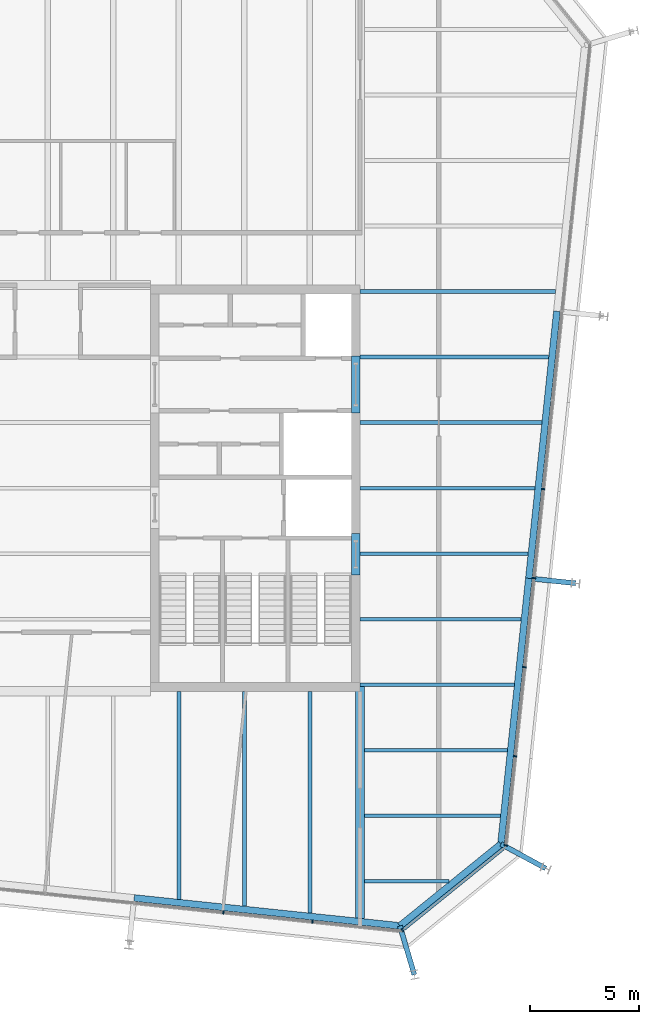
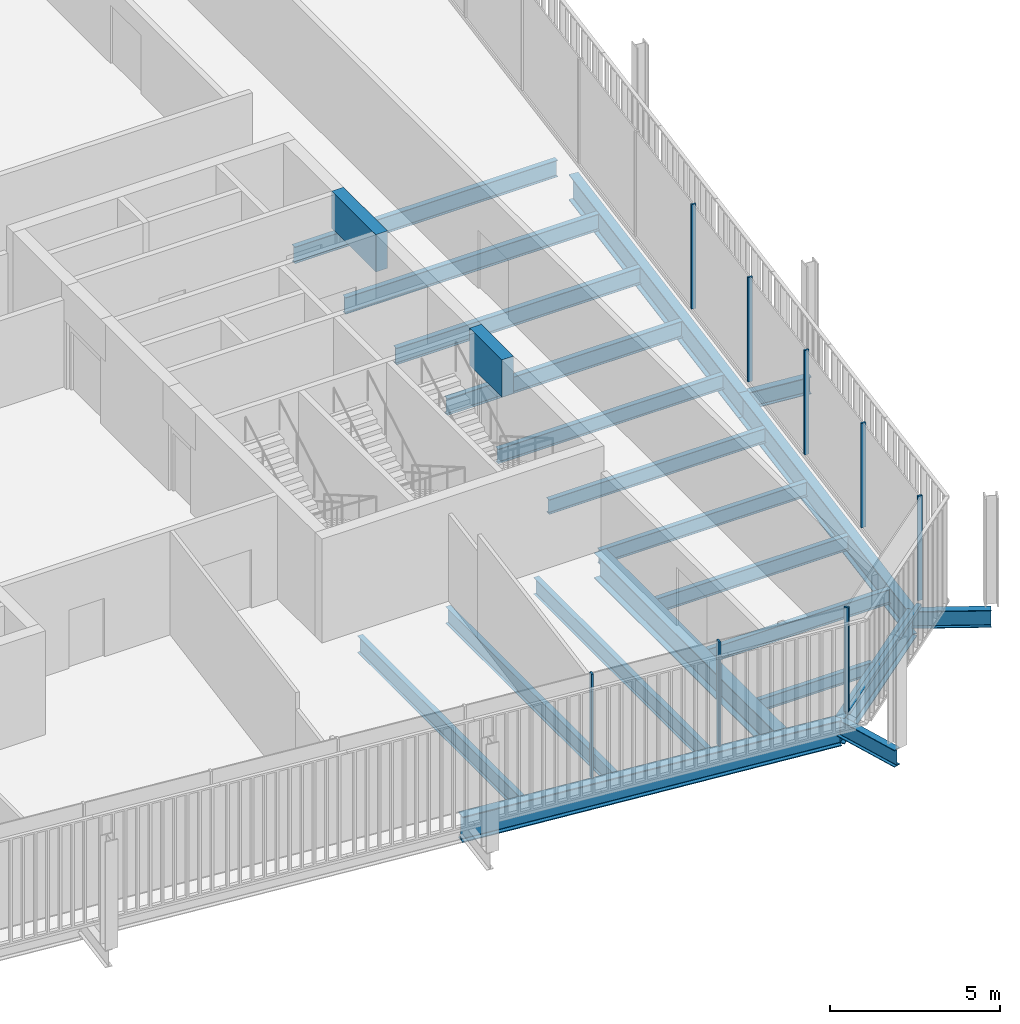
# One storey, part 9 of 20: 23 beams, 9 members, 3 elements without a shape of their own.
"""IFC4 building model written with IfcOpenShell, lengths in metres."""

from ifc_helpers import new_model, si_unit, direction, frame, origin, origin_2d, place, context, subcontext, project, spatial, rectangle, i_section, extrude, material, layer, layer_set, material_profile, profile_set, type_object, element, aggregate, save


model = new_model("IFC4")

# Units and contexts
model_context = context("Model", 3, precision=1e-05, world=origin(), true_north=direction((0.0, 1.0)))
body_context = subcontext(model_context, "Body", "Model", "MODEL_VIEW")
ifc_project = project(units=[si_unit("LENGTHUNIT", "METRE"), si_unit("AREAUNIT", "SQUARE_METRE"), si_unit("VOLUMEUNIT", "CUBIC_METRE"), si_unit("PLANEANGLEUNIT", "RADIAN"), si_unit("MASSUNIT", "GRAM", prefix="KILO")], contexts=[model_context])

# Site, building, storey
site_placement = place(None, origin())
site = spatial("IfcSite", under=ifc_project, at=site_placement, CompositionType="ELEMENT")
building_placement = place(site_placement, origin())
building = spatial("IfcBuilding", under=site, at=building_placement, Name="Millrace Tower", CompositionType="ELEMENT")
storey_placement = place(building_placement, frame((0.0, 0.0, 322.60009765625)))
storey = spatial("IfcBuildingStorey", under=building, at=storey_placement, Name="L74", CompositionType="ELEMENT", Elevation=322.60009765625)

# Curtain wall, members
ifc_material_1 = material(Name="Aluminium and glass", Category="aluminium")
ifc_layer = layer(ifc_material_1, 0.14990234375)
ifc_layer_set = layer_set([ifc_layer], Name="Aluminium and glass")
curtain_wall_type = type_object("IfcCurtainWallType", Name="CW-1 office vision curtain wall", PredefinedType="NOTDEFINED", material=ifc_layer_set)
placement = place(storey_placement, origin())
curtain_wall_1 = element("IfcCurtainWall", 1, at=placement, inside=storey, type_object=curtain_wall_type, Name="Curtain wall E-F02 L74", PredefinedType="NOTDEFINED")
ifc_material_2 = material(Name="Aluminium", Category="aluminium")
ifc_material_profile_1 = material_profile(ifc_material_2, rectangle(XDim=0.06494140625, YDim=0.14990234375, at=origin_2d()))
ifc_profile_set_1 = profile_set([ifc_material_profile_1], Name="Aluminium")
member_type_1 = type_object("IfcMemberType", Name="CW-1 office vision curtain wall mullion", PredefinedType="MULLION", material=ifc_profile_set_1)
member_1_placement = place(storey_placement, frame((8.040283203125, -19.4248046875, 0.139892578125), z_axis=(0.0, 0.0, 1.0), x_axis=(0.994521896217, -0.104528455196, 0.0)))
member_1 = element("IfcMember", 2, at=member_1_placement, type_object=member_type_1, Name="CW1 mullion E-F02.8", PredefinedType="MULLION", context=body_context, shape_type="SweptSolid", body=[
    extrude(rectangle(XDim=0.06494140625, YDim=0.14990234375, at=origin_2d()), origin(), (0.0, 0.0, 1.0), 3.760009765625),
])
member_2_placement = place(storey_placement, frame((12.117919921875, -19.853271484375, 0.139892578125), z_axis=(0.0, 0.0, 1.0), x_axis=(0.994521896217, -0.104528455196, 0.0)))
member_2 = element("IfcMember", 3, at=member_2_placement, type_object=member_type_1, Name="CW1 mullion E-F02.9", PredefinedType="MULLION", context=body_context, shape_type="SweptSolid", body=[
    extrude(rectangle(XDim=0.06494140625, YDim=0.14990234375, at=origin_2d()), origin(), (0.0, 0.0, 1.0), 3.760009765625),
])
aggregate(curtain_wall_1, [member_1, member_2])

# Curtain wall, member
curtain_wall_2 = element("IfcCurtainWall", 4, at=placement, inside=storey, type_object=curtain_wall_type, Name="Curtain wall E-F03 L74", PredefinedType="NOTDEFINED")
member_3_placement = place(storey_placement, frame((16.243408203125, -20.24169921875, 0.139892578125), z_axis=(0.0, 0.0, 1.0), x_axis=(0.777146052237, 0.629320278945, 0.0)))
member_3 = element("IfcMember", 5, at=member_3_placement, type_object=member_type_1, Name="CW1 mullion E-F03.1", PredefinedType="MULLION", context=body_context, shape_type="SweptSolid", body=[
    extrude(rectangle(XDim=0.06494140625, YDim=0.14990234375, at=origin_2d()), origin(), (0.0, 0.0, 1.0), 3.760009765625),
])

# Curtain wall, members
curtain_wall_3 = element("IfcCurtainWall", 6, at=placement, inside=storey, type_object=curtain_wall_type, Name="Curtain wall E-F04 L74", PredefinedType="NOTDEFINED")
member_4_placement = place(storey_placement, frame((20.974853515625, -16.3525390625, 0.139892578125), z_axis=(0.0, 0.0, 1.0), x_axis=(0.104528455196, 0.994521896217, 0.0)))
member_4 = element("IfcMember", 7, at=member_4_placement, type_object=member_type_1, Name="CW1 mullion E-F04.1", PredefinedType="MULLION", context=body_context, shape_type="SweptSolid", body=[
    extrude(rectangle(XDim=0.06494140625, YDim=0.14990234375, at=origin_2d()), origin(), (0.0, 0.0, 1.0), 3.760009765625),
])
member_5_placement = place(storey_placement, frame((21.4033203125, -12.27490234375, 0.139892578125), z_axis=(0.0, 0.0, 1.0), x_axis=(0.104528455196, 0.994521896217, 0.0)))
member_5 = element("IfcMember", 8, at=member_5_placement, type_object=member_type_1, Name="CW1 mullion E-F04.2", PredefinedType="MULLION", context=body_context, shape_type="SweptSolid", body=[
    extrude(rectangle(XDim=0.06494140625, YDim=0.14990234375, at=origin_2d()), origin(), (0.0, 0.0, 1.0), 3.760009765625),
])
member_6_placement = place(storey_placement, frame((21.83203125, -8.197509765625, 0.139892578125), z_axis=(0.0, 0.0, 1.0), x_axis=(0.104528455196, 0.994521896217, 0.0)))
member_6 = element("IfcMember", 9, at=member_6_placement, type_object=member_type_1, Name="CW1 mullion E-F04.3", PredefinedType="MULLION", context=body_context, shape_type="SweptSolid", body=[
    extrude(rectangle(XDim=0.06494140625, YDim=0.14990234375, at=origin_2d()), origin(), (0.0, 0.0, 1.0), 3.760009765625),
])
member_7_placement = place(storey_placement, frame((22.260498046875, -4.119873046875, 0.139892578125), z_axis=(0.0, 0.0, 1.0), x_axis=(0.104528455196, 0.994521896217, 0.0)))
member_7 = element("IfcMember", 10, at=member_7_placement, type_object=member_type_1, Name="CW1 mullion E-F04.4", PredefinedType="MULLION", context=body_context, shape_type="SweptSolid", body=[
    extrude(rectangle(XDim=0.06494140625, YDim=0.14990234375, at=origin_2d()), origin(), (0.0, 0.0, 1.0), 3.760009765625),
])
member_8_placement = place(storey_placement, frame((22.68896484375, -0.042236328125, 0.139892578125), z_axis=(0.0, 0.0, 1.0), x_axis=(0.104528455196, 0.994521896217, 0.0)))
member_8 = element("IfcMember", 11, at=member_8_placement, type_object=member_type_1, Name="CW1 mullion E-F04.5", PredefinedType="MULLION", context=body_context, shape_type="SweptSolid", body=[
    extrude(rectangle(XDim=0.06494140625, YDim=0.14990234375, at=origin_2d()), origin(), (0.0, 0.0, 1.0), 3.760009765625),
])
aggregate(curtain_wall_3, [member_4, member_5, member_6, member_7, member_8])

# Member
ifc_material_3 = material(Name="Aluminium", Category="aluminium")
ifc_material_profile_2 = material_profile(ifc_material_3, rectangle(XDim=0.14990234375, YDim=0.139892578125, at=origin_2d()))
ifc_profile_set_2 = profile_set([ifc_material_profile_2], Name="Aluminium")
member_type_2 = type_object("IfcMemberType", Name="CW-1 office vision curtain wall transom", PredefinedType="USERDEFINED", material=ifc_profile_set_2)
member_9_placement = place(storey_placement, frame((16.2958984375, -20.19921875, 0.06982421875), z_axis=(0.77714915117, 0.629316452061, 0.0), x_axis=(-0.629316452061, 0.77714915117, 0.0)))
member_9 = element("IfcMember", 12, at=member_9_placement, type_object=member_type_2, Name="CW1 transom E-F03.1", ObjectType="TRANSOM", PredefinedType="USERDEFINED", context=body_context, shape_type="SweptSolid", body=[
    extrude(rectangle(XDim=0.14990234375, YDim=0.139892578125, at=origin_2d()), origin(), (0.0, 0.0, 1.0), 5.880859375),
])

aggregate(curtain_wall_2, [member_3, member_9])

# Beams
ifc_material_4 = material(Name="Concrete C60", Category="concrete")
ifc_material_profile_3 = material_profile(ifc_material_4, rectangle(XDim=0.39990234375, YDim=1.340087890625, at=origin_2d()))
ifc_profile_set_3 = profile_set([ifc_material_profile_3], Name="Concrete C60")
beam_type_1 = type_object("IfcBeamType", Name="Coupling beam 400 x 1340 Concrete C60, 1300 opening", PredefinedType="BEAM", material=ifc_profile_set_3)
beam_1_placement = place(storey_placement, frame((14.10009765625, -2.080078125, 3.06982421875), z_axis=(0.0, -1.0, 0.0), x_axis=(1.0, 0.0, 0.0)))
element("IfcBeam", 13, at=beam_1_placement, inside=storey, type_object=beam_type_1, Name="Coupling beam E L74", PredefinedType="BEAM", context=body_context, shape_type="SweptSolid", body=[
    extrude(rectangle(XDim=0.39990234375, YDim=1.340087890625, at=origin_2d()), origin(), (0.0, 0.0, 1.0), 1.89990234375),
])
ifc_material_5 = material(Name="Concrete C60", Category="concrete")
ifc_material_profile_4 = material_profile(ifc_material_5, rectangle(XDim=0.39990234375, YDim=1.340087890625, at=origin_2d()))
ifc_profile_set_4 = profile_set([ifc_material_profile_4], Name="Concrete C60")
beam_type_2 = type_object("IfcBeamType", Name="Coupling beam 400 x 1340 Concrete C60, 2000 opening", PredefinedType="BEAM", material=ifc_profile_set_4)
beam_2_placement = place(storey_placement, frame((14.10009765625, 6.050048828125, 3.06982421875), z_axis=(0.0, -1.0, 0.0), x_axis=(1.0, 0.0, 0.0)))
element("IfcBeam", 14, at=beam_2_placement, inside=storey, type_object=beam_type_2, Name="Coupling beam E L74", PredefinedType="BEAM", context=body_context, shape_type="SweptSolid", body=[
    extrude(rectangle(XDim=0.39990234375, YDim=1.340087890625, at=origin_2d()), origin(), (0.0, 0.0, 1.0), 2.60009765625),
])
ifc_material_6 = material(Name="Steel ASTM A992 Grade 50", Category="steel")
ifc_material_profile_5 = material_profile(ifc_material_6, i_section(OverallWidth=0.15234375, OverallDepth=0.449462890625, WebThickness=0.007568359375, FlangeThickness=0.0107421875, FilletRadius=0.01025390625, at=origin_2d()))
ifc_profile_set_5 = profile_set([ifc_material_profile_5], Name="Steel ASTM A992 Grade 50")
beam_type_3 = type_object("IfcBeamType", Name="Floor beam W18x35", PredefinedType="JOIST", material=ifc_profile_set_5)
beam_3_placement = place(storey_placement, frame((14.509521484375, -18.0, -0.384765625), z_axis=(1.0, 0.0, 0.0), x_axis=(0.0, 1.0, 0.0)))
element("IfcBeam", 15, at=beam_3_placement, inside=storey, type_object=beam_type_3, Name="BM-E-L74-S1-S001", PredefinedType="JOIST", context=body_context, shape_type="SweptSolid", body=[
    extrude(i_section(OverallWidth=0.15234375, OverallDepth=0.449462890625, WebThickness=0.007568359375, FlangeThickness=0.0107421875, FilletRadius=0.01025390625, at=origin_2d()), origin(), (0.0, 0.0, 1.0), 3.87060546875),
])
ifc_material_7 = material(Name="Steel ASTM A992 Grade 50", Category="steel")
ifc_material_profile_6 = material_profile(ifc_material_7, i_section(OverallWidth=0.1650390625, OverallDepth=0.52587890625, WebThickness=0.0087890625, FlangeThickness=0.011474609375, FilletRadius=0.0126953125, at=origin_2d()))
ifc_profile_set_6 = profile_set([ifc_material_profile_6], Name="Steel ASTM A992 Grade 50")
beam_type_4 = type_object("IfcBeamType", Name="Floor beam W21x44", PredefinedType="JOIST", material=ifc_profile_set_6)
beam_4_placement = place(storey_placement, frame((14.509521484375, -15.0, -0.423095703125), z_axis=(1.0, 0.0, 0.0), x_axis=(0.0, 1.0, 0.0)))
element("IfcBeam", 16, at=beam_4_placement, inside=storey, type_object=beam_type_4, Name="BM-E-L74-S1-S003", PredefinedType="JOIST", context=body_context, shape_type="SweptSolid", body=[
    extrude(i_section(OverallWidth=0.1650390625, OverallDepth=0.52587890625, WebThickness=0.0087890625, FlangeThickness=0.011474609375, FilletRadius=0.0126953125, at=origin_2d()), origin(), (0.0, 0.0, 1.0), 6.222900390625),
])
beam_5_placement = place(storey_placement, frame((14.509521484375, -12.0, -0.423095703125), z_axis=(1.0, 0.0, 0.0), x_axis=(0.0, 1.0, 0.0)))
element("IfcBeam", 17, at=beam_5_placement, inside=storey, type_object=beam_type_4, Name="BM-E-L74-S1-S005", PredefinedType="JOIST", context=body_context, shape_type="SweptSolid", body=[
    extrude(i_section(OverallWidth=0.1650390625, OverallDepth=0.52587890625, WebThickness=0.0087890625, FlangeThickness=0.011474609375, FilletRadius=0.0126953125, at=origin_2d()), origin(), (0.0, 0.0, 1.0), 6.538330078125),
])
beam_6_placement = place(storey_placement, frame((14.300048828125, -9.0, -0.423095703125), z_axis=(1.0, 0.0, 0.0), x_axis=(0.0, 1.0, 0.0)))
element("IfcBeam", 18, at=beam_6_placement, inside=storey, type_object=beam_type_4, Name="BM-E-L74-S1-S007", PredefinedType="JOIST", context=body_context, shape_type="SweptSolid", body=[
    extrude(i_section(OverallWidth=0.1650390625, OverallDepth=0.52587890625, WebThickness=0.0087890625, FlangeThickness=0.011474609375, FilletRadius=0.0126953125, at=origin_2d()), origin(), (0.0, 0.0, 1.0), 7.06298828125),
])
beam_7_placement = place(storey_placement, frame((14.300048828125, -6.0, -0.423095703125), z_axis=(1.0, 0.0, 0.0), x_axis=(0.0, 1.0, 0.0)))
element("IfcBeam", 19, at=beam_7_placement, inside=storey, type_object=beam_type_4, Name="BM-E-L74-S1-S010", PredefinedType="JOIST", context=body_context, shape_type="SweptSolid", body=[
    extrude(i_section(OverallWidth=0.1650390625, OverallDepth=0.52587890625, WebThickness=0.0087890625, FlangeThickness=0.011474609375, FilletRadius=0.0126953125, at=origin_2d()), origin(), (0.0, 0.0, 1.0), 7.37841796875),
])
beam_8_placement = place(storey_placement, frame((14.300048828125, -3.0, -0.423095703125), z_axis=(1.0, 0.0, 0.0), x_axis=(0.0, 1.0, 0.0)))
element("IfcBeam", 20, at=beam_8_placement, inside=storey, type_object=beam_type_4, Name="BM-E-L74-S1-S013", PredefinedType="JOIST", context=body_context, shape_type="SweptSolid", body=[
    extrude(i_section(OverallWidth=0.1650390625, OverallDepth=0.52587890625, WebThickness=0.0087890625, FlangeThickness=0.011474609375, FilletRadius=0.0126953125, at=origin_2d()), origin(), (0.0, 0.0, 1.0), 7.693603515625),
])
ifc_material_8 = material(Name="Steel ASTM A992 Grade 50", Category="steel")
ifc_material_profile_7 = material_profile(ifc_material_8, i_section(OverallWidth=0.177978515625, OverallDepth=0.599365234375, WebThickness=0.010009765625, FlangeThickness=0.012939453125, FilletRadius=0.012939453125, at=origin_2d()))
ifc_profile_set_7 = profile_set([ifc_material_profile_7], Name="Steel ASTM A992 Grade 50")
beam_type_5 = type_object("IfcBeamType", Name="Floor beam W24x55", PredefinedType="JOIST", material=ifc_profile_set_7)
beam_9_placement = place(storey_placement, frame((14.300048828125, 0.0, -0.459716796875), z_axis=(1.0, 0.0, 0.0), x_axis=(0.0, 1.0, 0.0)))
element("IfcBeam", 21, at=beam_9_placement, inside=storey, type_object=beam_type_5, Name="BM-E-L74-S1-S016", PredefinedType="JOIST", context=body_context, shape_type="SweptSolid", body=[
    extrude(i_section(OverallWidth=0.177978515625, OverallDepth=0.599365234375, WebThickness=0.010009765625, FlangeThickness=0.012939453125, FilletRadius=0.012939453125, at=origin_2d()), origin(), (0.0, 0.0, 1.0), 8.009033203125),
])
beam_10_placement = place(storey_placement, frame((14.300048828125, 3.0, -0.459716796875), z_axis=(1.0, 0.0, 0.0), x_axis=(0.0, 1.0, 0.0)))
element("IfcBeam", 22, at=beam_10_placement, inside=storey, type_object=beam_type_5, Name="BM-E-L74-S1-S019", PredefinedType="JOIST", context=body_context, shape_type="SweptSolid", body=[
    extrude(i_section(OverallWidth=0.177978515625, OverallDepth=0.599365234375, WebThickness=0.010009765625, FlangeThickness=0.012939453125, FilletRadius=0.012939453125, at=origin_2d()), origin(), (0.0, 0.0, 1.0), 8.324462890625),
])
beam_11_placement = place(storey_placement, frame((14.300048828125, 6.0, -0.459716796875), z_axis=(1.0, 0.0, 0.0), x_axis=(0.0, 1.0, 0.0)))
element("IfcBeam", 23, at=beam_11_placement, inside=storey, type_object=beam_type_5, Name="BM-E-L74-S1-S022", PredefinedType="JOIST", context=body_context, shape_type="SweptSolid", body=[
    extrude(i_section(OverallWidth=0.177978515625, OverallDepth=0.599365234375, WebThickness=0.010009765625, FlangeThickness=0.012939453125, FilletRadius=0.012939453125, at=origin_2d()), origin(), (0.0, 0.0, 1.0), 8.6396484375),
])
beam_12_placement = place(storey_placement, frame((14.300048828125, 9.0, -0.459716796875), z_axis=(1.0, 0.0, 0.0), x_axis=(0.0, 1.0, 0.0)))
element("IfcBeam", 24, at=beam_12_placement, inside=storey, type_object=beam_type_5, Name="BM-E-L74-S1-S024", PredefinedType="JOIST", context=body_context, shape_type="SweptSolid", body=[
    extrude(i_section(OverallWidth=0.177978515625, OverallDepth=0.599365234375, WebThickness=0.010009765625, FlangeThickness=0.012939453125, FilletRadius=0.012939453125, at=origin_2d()), origin(), (0.0, 0.0, 1.0), 8.955078125),
])
beam_13_placement = place(storey_placement, frame((6.0, -18.825927734375, -0.459716796875), z_axis=(0.0, 1.0, 0.0), x_axis=(-1.0, 0.0, 0.0)))
element("IfcBeam", 25, at=beam_13_placement, inside=storey, type_object=beam_type_5, Name="BM-E-L74-S1-S049", PredefinedType="JOIST", context=body_context, shape_type="SweptSolid", body=[
    extrude(i_section(OverallWidth=0.177978515625, OverallDepth=0.599365234375, WebThickness=0.010009765625, FlangeThickness=0.012939453125, FilletRadius=0.012939453125, at=origin_2d()), origin(), (0.0, 0.0, 1.0), 9.52587890625),
])
beam_14_placement = place(storey_placement, frame((9.0, -19.14111328125, -0.459716796875), z_axis=(0.0, 1.0, 0.0), x_axis=(-1.0, 0.0, 0.0)))
element("IfcBeam", 26, at=beam_14_placement, inside=storey, type_object=beam_type_5, Name="BM-E-L74-S1-S051", PredefinedType="JOIST", context=body_context, shape_type="SweptSolid", body=[
    extrude(i_section(OverallWidth=0.177978515625, OverallDepth=0.599365234375, WebThickness=0.010009765625, FlangeThickness=0.012939453125, FilletRadius=0.012939453125, at=origin_2d()), origin(), (0.0, 0.0, 1.0), 9.841064453125),
])
ifc_material_9 = material(Name="Steel ASTM A992 Grade 50", Category="steel")
ifc_material_profile_8 = material_profile(ifc_material_9, i_section(OverallWidth=0.1787109375, OverallDepth=0.60205078125, WebThickness=0.010986328125, FlangeThickness=0.014892578125, FilletRadius=0.0126953125, at=origin_2d()))
ifc_profile_set_8 = profile_set([ifc_material_profile_8], Name="Steel ASTM A992 Grade 50")
beam_type_6 = type_object("IfcBeamType", Name="Floor beam W24x62", PredefinedType="JOIST", material=ifc_profile_set_8)
beam_15_placement = place(storey_placement, frame((12.0, -19.45654296875, -0.461181640625), z_axis=(0.0, 1.0, 0.0), x_axis=(-1.0, 0.0, 0.0)))
element("IfcBeam", 27, at=beam_15_placement, inside=storey, type_object=beam_type_6, Name="BM-E-L74-S1-S053", PredefinedType="JOIST", context=body_context, shape_type="SweptSolid", body=[
    extrude(i_section(OverallWidth=0.1787109375, OverallDepth=0.60205078125, WebThickness=0.010986328125, FlangeThickness=0.014892578125, FilletRadius=0.0126953125, at=origin_2d()), origin(), (0.0, 0.0, 1.0), 10.156494140625),
])
ifc_material_10 = material(Name="Steel ASTM A992 Grade 50", Category="steel")
ifc_material_profile_9 = material_profile(ifc_material_10, i_section(OverallWidth=0.419189453125, OverallDepth=0.927001953125, WebThickness=0.019287109375, FlangeThickness=0.031982421875, FilletRadius=0.024169921875, at=origin_2d()))
ifc_profile_set_9 = profile_set([ifc_material_profile_9], Name="Steel ASTM A992 Grade 50")
beam_type_7 = type_object("IfcBeamType", Name="Girder short span W36x231", PredefinedType="BEAM", material=ifc_profile_set_9)
beam_16_placement = place(storey_placement, frame((14.300048828125, -19.6982421875, -0.62353515625), z_axis=(0.0, 1.0, 0.0), x_axis=(-1.0, 0.0, 0.0)))
element("IfcBeam", 28, at=beam_16_placement, inside=storey, type_object=beam_type_7, Name="BM-E-L74-S1-G057", PredefinedType="BEAM", context=body_context, shape_type="SweptSolid", body=[
    extrude(i_section(OverallWidth=0.419189453125, OverallDepth=0.927001953125, WebThickness=0.019287109375, FlangeThickness=0.031982421875, FilletRadius=0.024169921875, at=origin_2d()), origin(), (0.0, 0.0, 1.0), 10.6142578125),
])
ifc_material_11 = material(Name="Steel ASTM A992 Grade 50", Category="steel")
ifc_material_profile_10 = material_profile(ifc_material_11, i_section(OverallWidth=0.23046875, OverallDepth=0.6171875, WebThickness=0.01318359375, FlangeThickness=0.022216796875, FilletRadius=0.012939453125, at=origin_2d()))
ifc_profile_set_10 = profile_set([ifc_material_profile_10], Name="Steel ASTM A992 Grade 50")
beam_type_8 = type_object("IfcBeamType", Name="Link beam W24x94", PredefinedType="BEAM", material=ifc_profile_set_10)
beam_17_placement = place(storey_placement, frame((22.1826171875, -4.144287109375, -0.46875), z_axis=(0.99452550138, -0.104494148666, 0.0), x_axis=(0.104494148666, 0.99452550138, 0.0)))
element("IfcBeam", 29, at=beam_17_placement, inside=storey, type_object=beam_type_8, Name="LNK-E-L74-S1-11", PredefinedType="BEAM", context=body_context, shape_type="SweptSolid", body=[
    extrude(i_section(OverallWidth=0.23046875, OverallDepth=0.6171875, WebThickness=0.01318359375, FlangeThickness=0.022216796875, FilletRadius=0.012939453125, at=origin_2d()), origin(), (0.0, 0.0, 1.0), 2.0),
])
for number, where, z_axis, x_axis, name in (
    (30, (20.750732421875, -16.297607421875, -0.46875), (0.87881453358, -0.477163510307, 0.0), (0.477163510307, 0.87881453358, 0.0), "LNK-E-L74-S1-12"),
    (31, (16.123779296875, -20.04443359375, -0.46875), (0.283934988541, -0.958843533785, 0.0), (0.958843533785, 0.283934988541, 0.0), "LNK-E-L74-S1-13"),
):
    element("IfcBeam", number, at=place(storey_placement, frame(where, z_axis=z_axis, x_axis=x_axis)), inside=storey, type_object=beam_type_8, Name=name, PredefinedType="BEAM", context=body_context, shape_type="SweptSolid", body=[
        extrude(i_section(OverallWidth=0.23046875, OverallDepth=0.6171875, WebThickness=0.01318359375, FlangeThickness=0.022216796875, FilletRadius=0.012939453125, at=origin_2d()), origin(), (0.0, 0.0, 1.0), 2.3310546875),
    ])
ifc_material_12 = material(Name="Steel ASTM A992 Grade 50", Category="steel")
ifc_material_profile_11 = material_profile(ifc_material_12, i_section(OverallWidth=0.307373046875, OverallDepth=0.927001953125, WebThickness=0.01953125, FlangeThickness=0.031982421875, FilletRadius=0.01904296875, at=origin_2d()))
ifc_profile_set_11 = profile_set([ifc_material_profile_11], Name="Steel ASTM A992 Grade 50")
beam_type_9 = type_object("IfcBeamType", Name="Ring beam medium span W36x194", PredefinedType="SPANDREL", material=ifc_profile_set_11)
beam_18_placement = place(storey_placement, frame((23.3154296875, 8.104248046875, -0.62353515625), z_axis=(-0.10452566363, -0.994522189618, 0.0), x_axis=(0.994522189618, -0.10452566363, 0.0)))
element("IfcBeam", 32, at=beam_18_placement, inside=storey, type_object=beam_type_9, Name="RNG-E-L74-S1-10", PredefinedType="SPANDREL", context=body_context, shape_type="SweptSolid", body=[
    extrude(i_section(OverallWidth=0.307373046875, OverallDepth=0.927001953125, WebThickness=0.01953125, FlangeThickness=0.031982421875, FilletRadius=0.01904296875, at=origin_2d()), origin(), (0.0, 0.0, 1.0), 12.2998046875),
])
for number, where, z_axis, x_axis, name in (
    (33, (22.02978515625, -4.128173828125, -0.62353515625), (-0.104527955888, -0.994521948696, 0.0), (0.994521948696, -0.104527955888, 0.0), "RNG-E-L74-S1-11"),
    (34, (16.123779296875, -20.04443359375, -0.62353515625), (-0.994521948696, 0.104527955888, 0.0), (-0.104527955888, -0.994521948696, 0.0), "RNG-E-L74-S1-13"),
):
    element("IfcBeam", number, at=place(storey_placement, frame(where, z_axis=z_axis, x_axis=x_axis)), inside=storey, type_object=beam_type_9, Name=name, PredefinedType="SPANDREL", context=body_context, shape_type="SweptSolid", body=[
        extrude(i_section(OverallWidth=0.307373046875, OverallDepth=0.927001953125, WebThickness=0.01953125, FlangeThickness=0.031982421875, FilletRadius=0.01904296875, at=origin_2d()), origin(), (0.0, 0.0, 1.0), 12.236572265625),
    ])
ifc_material_13 = material(Name="Steel ASTM A992 Grade 50", Category="steel")
ifc_material_profile_12 = material_profile(ifc_material_13, i_section(OverallWidth=0.307373046875, OverallDepth=0.927001953125, WebThickness=0.01953125, FlangeThickness=0.031982421875, FilletRadius=0.01904296875, at=origin_2d()))
ifc_profile_set_12 = profile_set([ifc_material_profile_12], Name="Steel ASTM A992 Grade 50")
beam_type_10 = type_object("IfcBeamType", Name="Ring beam short span W36x194", PredefinedType="SPANDREL", material=ifc_profile_set_12)
beam_19_placement = place(storey_placement, frame((20.750732421875, -16.297607421875, -0.62353515625), z_axis=(-0.777146502883, -0.629319722443, 0.0), x_axis=(0.629319722443, -0.777146502883, 0.0)))
element("IfcBeam", 35, at=beam_19_placement, inside=storey, type_object=beam_type_10, Name="RNG-E-L74-S1-12", PredefinedType="SPANDREL", context=body_context, shape_type="SweptSolid", body=[
    extrude(i_section(OverallWidth=0.307373046875, OverallDepth=0.927001953125, WebThickness=0.01953125, FlangeThickness=0.031982421875, FilletRadius=0.01904296875, at=origin_2d()), origin(), (0.0, 0.0, 1.0), 5.953857421875),
])

save(model, "model.ifc")
